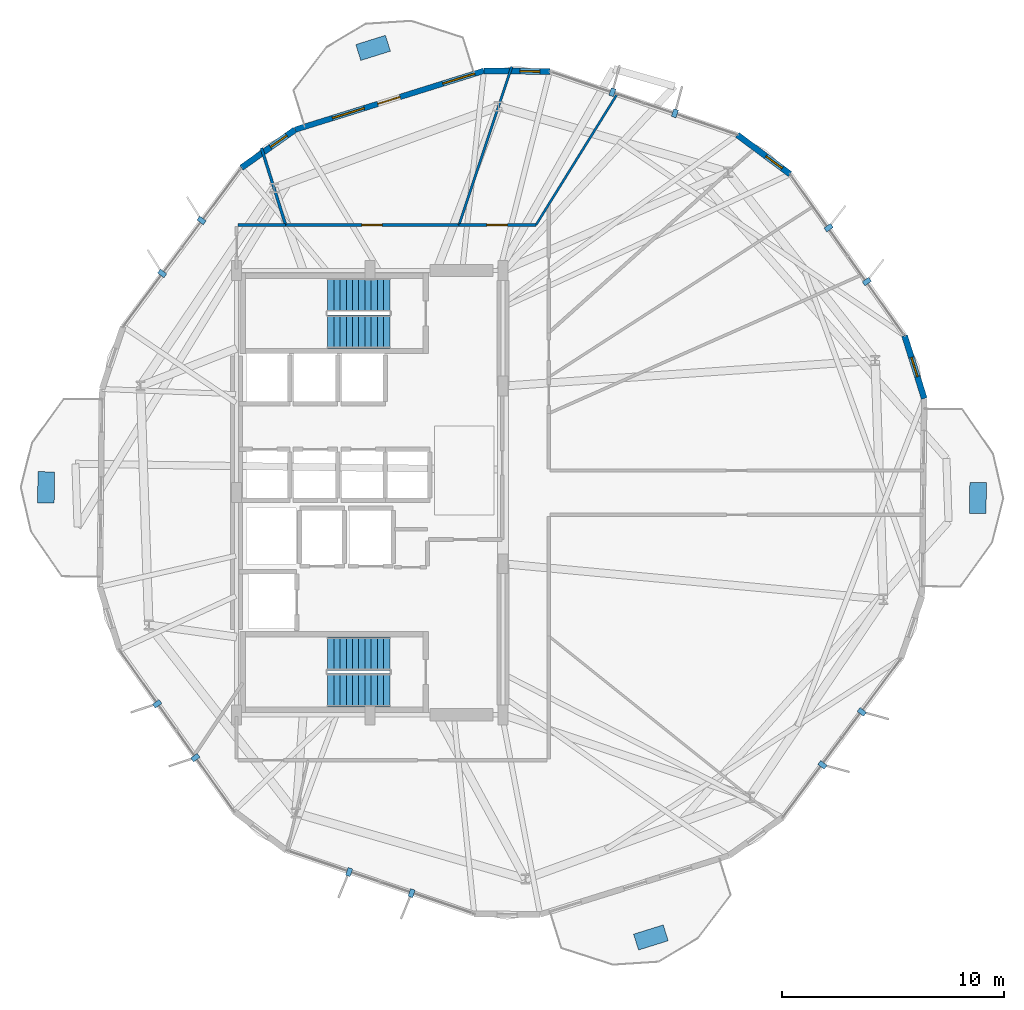
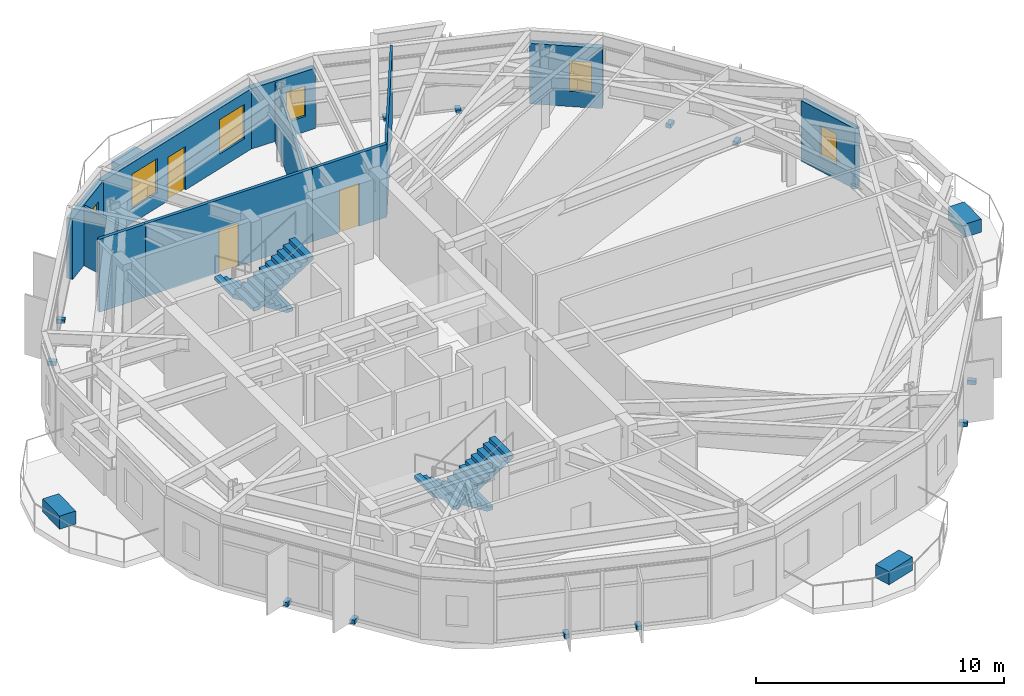
# One storey, part 24 of 27: 16 discrete accessories, 11 walls, 6 windows, 4 stair flights, 3 doors, 9 openings, 2 elements without a shape of their own.
"""IFC4 building model written with IfcOpenShell, lengths in metres."""

from ifc_helpers import new_model, si_unit, direction, frame, frame_2d, origin, origin_2d, place, context, subcontext, project, spatial, polyline, rectangle, outline, extrude, material, layer, layer_set, type_object, element, fill, aggregate, save


model = new_model("IFC4")

# Units and contexts
model_context = context("Model", 3, precision=1e-05, world=origin(), true_north=direction((0.0, 1.0)))
body_context = subcontext(model_context, "Body", "Model", "MODEL_VIEW")
ifc_project = project(units=[si_unit("LENGTHUNIT", "METRE"), si_unit("AREAUNIT", "SQUARE_METRE"), si_unit("VOLUMEUNIT", "CUBIC_METRE"), si_unit("PLANEANGLEUNIT", "RADIAN"), si_unit("MASSUNIT", "GRAM", prefix="KILO")], contexts=[model_context])

# Site, building, storey
site_placement = place(None, origin())
site = spatial("IfcSite", under=ifc_project, at=site_placement, CompositionType="ELEMENT")
building_placement = place(site_placement, origin())
building = spatial("IfcBuilding", under=site, at=building_placement, Name="Soratama Intermodal Tower", CompositionType="ELEMENT")
storey_placement = place(building_placement, frame((0.0, 0.0, 95.199951171875)))
storey = spatial("IfcBuildingStorey", under=building, at=storey_placement, Name="L22", CompositionType="ELEMENT", Elevation=95.199951171875)

# Wall, openings, door, windows
ifc_material_1 = material(Name="Concrete f'c 42 MPa", Category="concrete")
ifc_layer_1 = layer(ifc_material_1, 0.25)
ifc_layer_set_1 = layer_set([ifc_layer_1], Name="Concrete f'c 42 MPa")
wall_type_1 = type_object("IfcWallType", Name="EW-BAL-250", PredefinedType="SOLIDWALL", material=ifc_layer_set_1)
wall_1_placement = place(storey_placement, frame((43.7353515625, 43.9951171875, 0.0), z_axis=(0.0, 0.0, 1.0), x_axis=(-0.954555531523, -0.298033114332, 0.0)))
wall_1 = element("IfcWall", 1, at=wall_1_placement, inside=storey, type_object=wall_type_1, Name="L22 Terrace Wall F03", PredefinedType="SOLIDWALL", context=body_context, shape_type="SweptSolid", body=[
    extrude(rectangle(XDim=8.908447265625, YDim=0.25, at=frame_2d((4.4541015625, 0.0))), origin(), (0.0, 0.0, 1.0), 2.97900390625),
])
opening_1_placement = place(wall_1_placement, frame((3.9541015625, 0.0, 0.0)))
opening_1 = element("IfcOpeningElement", 2, at=opening_1_placement, cuts=wall_1, Name="Opening ED-5", PredefinedType="OPENING", context=body_context, shape_type="SweptSolid", body=[
    extrude(rectangle(XDim=1.050048828125, YDim=2.14990234375, at=frame_2d((0.52490234375, 1.074951171875))), frame((0.0, 0.135009765625, 0.0), z_axis=(0.0, -1.0, 0.0), x_axis=(1.0, 0.0, 0.0)), (0.0, 0.0, 1.0), 0.27001953125),
])
opening_2_placement = place(wall_1_placement, frame((0.43994140625, 0.0, 0.719970703125)))
opening_2 = element("IfcOpeningElement", 3, at=opening_2_placement, cuts=wall_1, Name="Opening WN-1", PredefinedType="OPENING", context=body_context, shape_type="SweptSolid", body=[
    extrude(rectangle(XDim=1.5, YDim=1.699951171875, at=frame_2d((0.75, 0.85009765625))), frame((0.0, 0.135009765625, 0.0), z_axis=(0.0, -1.0, 0.0), x_axis=(1.0, 0.0, 0.0)), (0.0, 0.0, 1.0), 0.27001953125),
])
opening_3_placement = place(wall_1_placement, frame((5.644287109375, 0.0, 0.719970703125)))
opening_3 = element("IfcOpeningElement", 4, at=opening_3_placement, cuts=wall_1, Name="Opening WN-1", PredefinedType="OPENING", context=body_context, shape_type="SweptSolid", body=[
    extrude(rectangle(XDim=1.5, YDim=1.699951171875, at=frame_2d((0.75, 0.85009765625))), frame((0.0, 0.135009765625, 0.0), z_axis=(0.0, -1.0, 0.0), x_axis=(1.0, 0.0, 0.0)), (0.0, 0.0, 1.0), 0.27001953125),
])
ifc_material_2 = material(Name="Double-glazed aluminium door", Category="aluminium")
door_type_1 = type_object("IfcDoorType", Name="DR-BAL-1050", OperationType="NOTDEFINED", PredefinedType="DOOR", material=ifc_material_2)
door_1_placement = place(opening_1_placement, origin())
door_1 = element("IfcDoor", 5, at=door_1_placement, inside=storey, type_object=door_type_1, Name="L22 Balcony Door F03", OperationType="SINGLE_SWING_LEFT", OverallHeight=2.14990234375, OverallWidth=1.050048828125, PredefinedType="DOOR", context=body_context, shape_type="SweptSolid", body=[
    extrude(rectangle(XDim=1.050048828125, YDim=2.14990234375, at=frame_2d((0.52490234375, 1.074951171875))), frame((0.0, 0.02490234375, 0.0), z_axis=(0.0, -1.0, 0.0), x_axis=(1.0, 0.0, 0.0)), (0.0, 0.0, 1.0), 0.050048828125),
])
fill(opening_1, door_1)
ifc_material_3 = material(Name="Double-glazed aluminium window", Category="aluminium")
window_type_1 = type_object("IfcWindowType", Name="WN-FAC-1500", PartitioningType="SINGLE_PANEL", PredefinedType="WINDOW", material=ifc_material_3)
window_1_placement = place(opening_2_placement, origin())
window_1 = element("IfcWindow", 6, at=window_1_placement, inside=storey, type_object=window_type_1, Name="L22 Window A F03", OverallHeight=1.699951171875, OverallWidth=1.5, PartitioningType="SINGLE_PANEL", PredefinedType="WINDOW", context=body_context, shape_type="SweptSolid", body=[
    extrude(rectangle(XDim=1.5, YDim=1.699951171875, at=frame_2d((0.75, 0.85009765625))), frame((0.0, 0.030029296875, 0.0), z_axis=(0.0, -1.0, 0.0), x_axis=(1.0, 0.0, 0.0)), (0.0, 0.0, 1.0), 0.06005859375),
])
fill(opening_2, window_1)
window_2_placement = place(opening_3_placement, origin())
window_2 = element("IfcWindow", 7, at=window_2_placement, inside=storey, type_object=window_type_1, Name="L22 Window B F03", OverallHeight=1.699951171875, OverallWidth=1.5, PartitioningType="SINGLE_PANEL", PredefinedType="WINDOW", context=body_context, shape_type="SweptSolid", body=[
    extrude(rectangle(XDim=1.5, YDim=1.699951171875, at=frame_2d((0.75, 0.85009765625))), frame((0.0, 0.030029296875, 0.0), z_axis=(0.0, -1.0, 0.0), x_axis=(1.0, 0.0, 0.0)), (0.0, 0.0, 1.0), 0.06005859375),
])
fill(opening_3, window_2)

# Wall, opening, window
ifc_material_4 = material(Name="Concrete f'c 42 MPa", Category="concrete")
ifc_layer_2 = layer(ifc_material_4, 0.27001953125)
ifc_layer_set_2 = layer_set([ifc_layer_2], Name="Concrete f'c 42 MPa")
wall_type_2 = type_object("IfcWallType", Name="EW-CRN-270", PredefinedType="SOLIDWALL", material=ifc_layer_set_2)
wall_2_placement = place(storey_placement, frame((57.521728515625, 39.339599609375, 0.0), z_axis=(0.0, 0.0, 1.0), x_axis=(-0.802216720069, 0.597032942175, 0.0)))
wall_2 = element("IfcWall", 8, at=wall_2_placement, inside=storey, type_object=wall_type_2, Name="L22 Corner Closure Wall 01", PredefinedType="SOLIDWALL", context=body_context, shape_type="SweptSolid", body=[
    extrude(rectangle(XDim=2.96630859375, YDim=0.27001953125, at=frame_2d((1.483154296875, 0.0))), origin(), (0.0, 0.0, 1.0), 2.97900390625),
])
opening_4_placement = place(wall_2_placement, frame((0.449951171875, 0.0, 0.75)))
opening_4 = element("IfcOpeningElement", 9, at=opening_4_placement, cuts=wall_2, Name="Opening WN-6", PredefinedType="OPENING", context=body_context, shape_type="SweptSolid", body=[
    extrude(rectangle(XDim=0.89990234375, YDim=1.5, at=frame_2d((0.449951171875, 0.75))), frame((0.0, 0.14501953125, 0.0), z_axis=(0.0, -1.0, 0.0), x_axis=(1.0, 0.0, 0.0)), (0.0, 0.0, 1.0), 0.2900390625),
])
ifc_material_5 = material(Name="Double-glazed aluminium window", Category="aluminium")
window_type_2 = type_object("IfcWindowType", Name="WN-FAC-900", PartitioningType="SINGLE_PANEL", PredefinedType="WINDOW", material=ifc_material_5)
window_3_placement = place(opening_4_placement, origin())
window_3 = element("IfcWindow", 10, at=window_3_placement, inside=storey, type_object=window_type_2, Name="L22 Corner Window 01", OverallHeight=1.5, OverallWidth=0.89990234375, PartitioningType="SINGLE_PANEL", PredefinedType="WINDOW", context=body_context, shape_type="SweptSolid", body=[
    extrude(rectangle(XDim=0.89990234375, YDim=1.5, at=frame_2d((0.449951171875, 0.75))), frame((0.0, 0.030029296875, 0.0), z_axis=(0.0, -1.0, 0.0), x_axis=(1.0, 0.0, 0.0)), (0.0, 0.0, 1.0), 0.06005859375),
])
fill(opening_4, window_3)

wall_3_placement = place(storey_placement, frame((46.701904296875, 43.9609375, 0.0), z_axis=(0.0, 0.0, 1.0), x_axis=(-0.99993363199, 0.011520920787, 0.0)))
wall_3 = element("IfcWall", 11, at=wall_3_placement, inside=storey, type_object=wall_type_2, Name="L22 Corner Closure Wall 02", PredefinedType="SOLIDWALL", context=body_context, shape_type="SweptSolid", body=[
    extrude(rectangle(XDim=2.966796875, YDim=0.27001953125, at=frame_2d((1.4833984375, 0.0))), origin(), (0.0, 0.0, 1.0), 2.97900390625),
])
opening_5_placement = place(wall_3_placement, frame((0.449951171875, 0.0, 0.75)))
opening_5 = element("IfcOpeningElement", 12, at=opening_5_placement, cuts=wall_3, Name="Opening WN-6", PredefinedType="OPENING", context=body_context, shape_type="SweptSolid", body=[
    extrude(rectangle(XDim=0.89990234375, YDim=1.5, at=frame_2d((0.449951171875, 0.75))), frame((0.0, 0.14501953125, 0.0), z_axis=(0.0, -1.0, 0.0), x_axis=(1.0, 0.0, 0.0)), (0.0, 0.0, 1.0), 0.2900390625),
])
window_4_placement = place(opening_5_placement, origin())
window_4 = element("IfcWindow", 13, at=window_4_placement, inside=storey, type_object=window_type_2, Name="L22 Corner Window 02", OverallHeight=1.5, OverallWidth=0.89990234375, PartitioningType="SINGLE_PANEL", PredefinedType="WINDOW", context=body_context, shape_type="SweptSolid", body=[
    extrude(rectangle(XDim=0.89990234375, YDim=1.5, at=frame_2d((0.449951171875, 0.75))), frame((0.0, 0.030029296875, 0.0), z_axis=(0.0, -1.0, 0.0), x_axis=(1.0, 0.0, 0.0)), (0.0, 0.0, 1.0), 0.06005859375),
])
fill(opening_5, window_4)

wall_4_placement = place(storey_placement, frame((35.231689453125, 41.340087890625, 0.0), z_axis=(0.0, 0.0, 1.0), x_axis=(-0.815686288548, -0.57849449321, 0.0)))
wall_4 = element("IfcWall", 14, at=wall_4_placement, inside=storey, type_object=wall_type_2, Name="L22 Corner Closure Wall 03", PredefinedType="SOLIDWALL", context=body_context, shape_type="SweptSolid", body=[
    extrude(rectangle(XDim=2.966552734375, YDim=0.27001953125, at=frame_2d((1.4833984375, 0.0))), origin(), (0.0, 0.0, 1.0), 2.97900390625),
])
opening_6_placement = place(wall_4_placement, frame((0.449951171875, 0.0, 0.75)))
opening_6 = element("IfcOpeningElement", 15, at=opening_6_placement, cuts=wall_4, Name="Opening WN-6", PredefinedType="OPENING", context=body_context, shape_type="SweptSolid", body=[
    extrude(rectangle(XDim=0.89990234375, YDim=1.5, at=frame_2d((0.449951171875, 0.75))), frame((0.0, 0.14501953125, 0.0), z_axis=(0.0, -1.0, 0.0), x_axis=(1.0, 0.0, 0.0)), (0.0, 0.0, 1.0), 0.2900390625),
])
window_5_placement = place(opening_6_placement, origin())
window_5 = element("IfcWindow", 16, at=window_5_placement, inside=storey, type_object=window_type_2, Name="L22 Corner Window 03", OverallHeight=1.5, OverallWidth=0.89990234375, PartitioningType="SINGLE_PANEL", PredefinedType="WINDOW", context=body_context, shape_type="SweptSolid", body=[
    extrude(rectangle(XDim=0.89990234375, YDim=1.5, at=frame_2d((0.449951171875, 0.75))), frame((0.0, 0.030029296875, 0.0), z_axis=(0.0, -1.0, 0.0), x_axis=(1.0, 0.0, 0.0)), (0.0, 0.0, 1.0), 0.06005859375),
])
fill(opening_6, window_5)

wall_5_placement = place(storey_placement, frame((63.558837890625, 29.24072265625, 0.0), z_axis=(0.0, 0.0, 1.0), x_axis=(-0.297998508568, 0.954566335511, 0.0)))
wall_5 = element("IfcWall", 17, at=wall_5_placement, inside=storey, type_object=wall_type_2, Name="L22 Corner Closure Wall 10", PredefinedType="SOLIDWALL", context=body_context, shape_type="SweptSolid", body=[
    extrude(rectangle(XDim=2.966552734375, YDim=0.27001953125, at=frame_2d((1.4833984375, 0.0))), origin(), (0.0, 0.0, 1.0), 2.97900390625),
])
opening_7_placement = place(wall_5_placement, frame((1.033203125, 0.0, 0.75)))
opening_7 = element("IfcOpeningElement", 18, at=opening_7_placement, cuts=wall_5, Name="Opening WN-6", PredefinedType="OPENING", context=body_context, shape_type="SweptSolid", body=[
    extrude(rectangle(XDim=0.89990234375, YDim=1.5, at=frame_2d((0.449951171875, 0.75))), frame((0.0, 0.14501953125, 0.0), z_axis=(0.0, -1.0, 0.0), x_axis=(1.0, 0.0, 0.0)), (0.0, 0.0, 1.0), 0.2900390625),
])
window_6_placement = place(opening_7_placement, origin())
window_6 = element("IfcWindow", 19, at=window_6_placement, inside=storey, type_object=window_type_2, Name="L22 Corner Window 10", OverallHeight=1.5, OverallWidth=0.89990234375, PartitioningType="SINGLE_PANEL", PredefinedType="WINDOW", context=body_context, shape_type="SweptSolid", body=[
    extrude(rectangle(XDim=0.89990234375, YDim=1.5, at=frame_2d((0.449951171875, 0.75))), frame((0.0, 0.030029296875, 0.0), z_axis=(0.0, -1.0, 0.0), x_axis=(1.0, 0.0, 0.0)), (0.0, 0.0, 1.0), 0.06005859375),
])
fill(opening_7, window_6)

# Wall, opening, door
ifc_material_6 = material(Name="Fire-rated gypsum stud partition", Category="concrete")
ifc_layer_3 = layer(ifc_material_6, 0.14990234375)
ifc_layer_set_3 = layer_set([ifc_layer_3], Name="Fire-rated gypsum stud partition")
wall_type_3 = type_object("IfcWallType", Name="IW-PART-R150", PredefinedType="PARTITIONING", material=ifc_layer_set_3)
wall_6_placement = place(storey_placement, frame((34.81005859375, 37.050048828125, 0.0), z_axis=(0.0, 0.0, 1.0), x_axis=(1.0, 0.0, 0.0)))
wall_6 = element("IfcWall", 20, at=wall_6_placement, inside=storey, type_object=wall_type_3, Name="L22 Partition W-L22-TP008", PredefinedType="PARTITIONING", context=body_context, shape_type="SweptSolid", body=[
    extrude(rectangle(XDim=7.803955078125, YDim=0.14990234375, at=frame_2d((3.90185546875, 0.0))), origin(), (0.0, 0.0, 1.0), 3.60009765625),
])
opening_8_placement = place(wall_6_placement, frame((3.427001953125, 0.0, 0.0)))
opening_8 = element("IfcOpeningElement", 21, at=opening_8_placement, cuts=wall_6, Name="Opening ID-6", PredefinedType="OPENING", context=body_context, shape_type="SweptSolid", body=[
    extrude(rectangle(XDim=0.919921875, YDim=2.1201171875, at=frame_2d((0.4599609375, 1.06005859375))), frame((0.0, 0.0849609375, 0.0), z_axis=(0.0, -1.0, 0.0), x_axis=(1.0, 0.0, 0.0)), (0.0, 0.0, 1.0), 0.169921875),
])
ifc_material_7 = material(Name="Solid hardwood acoustic door", Category="wood")
door_type_2 = type_object("IfcDoorType", Name="DR-ROOM-920", OperationType="NOTDEFINED", PredefinedType="DOOR", material=ifc_material_7)
door_2_placement = place(opening_8_placement, origin())
door_2 = element("IfcDoor", 22, at=door_2_placement, inside=storey, type_object=door_type_2, Name="L22 Door D-L22-TP004", OperationType="SINGLE_SWING_LEFT", OverallHeight=2.1201171875, OverallWidth=0.919921875, PredefinedType="DOOR", context=body_context, shape_type="SweptSolid", body=[
    extrude(rectangle(XDim=0.919921875, YDim=2.1201171875, at=frame_2d((0.4599609375, 1.06005859375))), frame((0.0, 0.02490234375, 0.0), z_axis=(0.0, -1.0, 0.0), x_axis=(1.0, 0.0, 0.0)), (0.0, 0.0, 1.0), 0.050048828125),
])
fill(opening_8, door_2)

wall_7_placement = place(storey_placement, frame((42.614013671875, 37.050048828125, 0.0), z_axis=(0.0, 0.0, 1.0), x_axis=(1.0, 0.0, 0.0)))
wall_7 = element("IfcWall", 23, at=wall_7_placement, inside=storey, type_object=wall_type_3, Name="L22 Partition W-L22-TP018", PredefinedType="PARTITIONING", context=body_context, shape_type="SweptSolid", body=[
    extrude(rectangle(XDim=3.462890625, YDim=0.14990234375, at=frame_2d((1.7314453125, 0.0))), origin(), (0.0, 0.0, 1.0), 3.60009765625),
])
opening_9_placement = place(wall_7_placement, frame((1.257080078125, 0.0, 0.0)))
opening_9 = element("IfcOpeningElement", 24, at=opening_9_placement, cuts=wall_7, Name="Opening ID-6", PredefinedType="OPENING", context=body_context, shape_type="SweptSolid", body=[
    extrude(rectangle(XDim=0.919921875, YDim=2.1201171875, at=frame_2d((0.4599609375, 1.06005859375))), frame((0.0, 0.0849609375, 0.0), z_axis=(0.0, -1.0, 0.0), x_axis=(1.0, 0.0, 0.0)), (0.0, 0.0, 1.0), 0.169921875),
])
door_3_placement = place(opening_9_placement, origin())
door_3 = element("IfcDoor", 25, at=door_3_placement, inside=storey, type_object=door_type_2, Name="L22 Door D-L22-TP007", OperationType="SINGLE_SWING_RIGHT", OverallHeight=2.1201171875, OverallWidth=0.919921875, PredefinedType="DOOR", context=body_context, shape_type="SweptSolid", body=[
    extrude(rectangle(XDim=0.919921875, YDim=2.1201171875, at=frame_2d((0.4599609375, 1.06005859375))), frame((0.0, 0.02490234375, 0.0), z_axis=(0.0, -1.0, 0.0), x_axis=(1.0, 0.0, 0.0)), (0.0, 0.0, 1.0), 0.050048828125),
])
fill(opening_9, door_3)

# Walls
wall_8_placement = place(storey_placement, frame((32.669921875, 37.050048828125, 0.0), z_axis=(0.0, 0.0, 1.0), x_axis=(1.0, 0.0, 0.0)))
element("IfcWall", 26, at=wall_8_placement, inside=storey, type_object=wall_type_3, Name="L22 Partition W-L22-TP022", PredefinedType="PARTITIONING", context=body_context, shape_type="SweptSolid", body=[
    extrude(rectangle(XDim=2.14013671875, YDim=0.14990234375, at=frame_2d((1.070068359375, 0.0))), origin(), (0.0, 0.0, 1.0), 3.60009765625),
])
ifc_material_8 = material(Name="Fire-rated gypsum stud partition", Category="concrete")
ifc_layer_4 = layer(ifc_material_8, 0.10009765625)
ifc_layer_set_4 = layer_set([ifc_layer_4], Name="Fire-rated gypsum stud partition")
wall_type_4 = type_object("IfcWallType", Name="IW-PART-S100", PredefinedType="PARTITIONING", material=ifc_layer_set_4)
wall_9_placement = place(storey_placement, frame((46.076904296875, 37.050048828125, 0.0), z_axis=(0.0, 0.0, 1.0), x_axis=(0.527307609439, 0.849674458265, 0.0)))
element("IfcWall", 27, at=wall_9_placement, inside=storey, type_object=wall_type_4, Name="L22 Partition W-L22-TP010", PredefinedType="PARTITIONING", context=body_context, shape_type="SweptSolid", body=[
    extrude(rectangle(XDim=6.9296875, YDim=0.10009765625, at=frame_2d((3.46484375, 0.0))), origin(), (0.0, 0.0, 1.0), 3.60009765625),
])
ifc_material_9 = material(Name="Fire-rated gypsum stud partition", Category="concrete")
ifc_layer_5 = layer(ifc_material_9, 0.110107421875)
ifc_layer_set_5 = layer_set([ifc_layer_5], Name="Fire-rated gypsum stud partition")
wall_type_5 = type_object("IfcWallType", Name="IW-PART-S110", PredefinedType="PARTITIONING", material=ifc_layer_set_5)
wall_10_placement = place(storey_placement, frame((42.614013671875, 37.050048828125, 0.0), z_axis=(0.0, 0.0, 1.0), x_axis=(0.316071805261, 0.948735270726, 0.0)))
element("IfcWall", 28, at=wall_10_placement, inside=storey, type_object=wall_type_5, Name="L22 Partition W-L22-TP009", PredefinedType="PARTITIONING", context=body_context, shape_type="SweptSolid", body=[
    extrude(rectangle(XDim=7.51416015625, YDim=0.110107421875, at=frame_2d((3.757080078125, 0.0))), origin(), (0.0, 0.0, 1.0), 2.89501953125),
])
ifc_material_10 = material(Name="Fire-rated gypsum stud partition", Category="concrete")
ifc_layer_6 = layer(ifc_material_10, 0.1298828125)
ifc_layer_set_6 = layer_set([ifc_layer_6], Name="Fire-rated gypsum stud partition")
wall_type_6 = type_object("IfcWallType", Name="IW-PART-S130", PredefinedType="PARTITIONING", material=ifc_layer_set_6)
wall_11_placement = place(storey_placement, frame((34.81005859375, 37.050048828125, 0.0), z_axis=(0.0, 0.0, 1.0), x_axis=(-0.300097719363, 0.953908464599, 0.0)))
element("IfcWall", 29, at=wall_11_placement, inside=storey, type_object=wall_type_6, Name="L22 Partition W-L22-TP017", PredefinedType="PARTITIONING", context=body_context, shape_type="SweptSolid", body=[
    extrude(rectangle(XDim=3.629150390625, YDim=0.1298828125, at=frame_2d((1.814453125, 0.0))), origin(), (0.0, 0.0, 1.0), 2.89501953125),
])

# Stair, stair flights
ifc_material_11 = material(Name="Concrete f'c 42 MPa", Category="concrete")
stair_type = type_object("IfcStairType", Name="ST-CORE-DOGLEG", PredefinedType="HALF_TURN_STAIR", material=ifc_material_11)
stair_1_placement = place(storey_placement, origin())
stair_1 = element("IfcStair", 30, at=stair_1_placement, inside=storey, type_object=stair_type, Name="L22 ST-1", PredefinedType="HALF_TURN_STAIR")
ifc_material_12 = material(Name="Precast concrete f'c 40 MPa", Category="concrete")
ifc_layer_7 = layer(ifc_material_12, 0.199951171875)
ifc_layer_set_7 = layer_set([ifc_layer_7], Name="Precast concrete f'c 40 MPa")
stair_flight_type = type_object("IfcStairFlightType", Name="SF-FLIGHT-RC", PredefinedType="STRAIGHT", material=ifc_layer_set_7)
stair_flight_1_placement = place(storey_placement, frame((39.5, 17.75, 0.0), z_axis=(0.0, 0.0, 1.0), x_axis=(-1.0, 0.0, 0.0)))
stair_flight_1 = element("IfcStairFlight", 31, at=stair_flight_1_placement, type_object=stair_flight_type, Name="ST-1 flight 1", NumberOfRisers=11, NumberOfTreads=10, PredefinedType="STRAIGHT", RiserHeight=0.177272727, TreadLength=0.28, context=body_context, shape_type="SweptSolid", body=[
    extrude(outline(polyline([(0.0, 0.0), (0.0, 0.17724609375), (0.280029296875, 0.17724609375), (0.280029296875, 0.3544921875), (0.56005859375, 0.3544921875), (0.56005859375, 0.53173828125), (0.840087890625, 0.53173828125), (0.840087890625, 0.708984375), (1.1201171875, 0.708984375), (1.1201171875, 0.886474609375), (1.39990234375, 0.886474609375), (1.39990234375, 1.063720703125), (1.679931640625, 1.063720703125), (1.679931640625, 1.240966796875), (1.9599609375, 1.240966796875), (1.9599609375, 1.418212890625), (2.239990234375, 1.418212890625), (2.239990234375, 1.595458984375), (2.52001953125, 1.595458984375), (2.52001953125, 1.772705078125), (2.800048828125, 1.772705078125), (2.800048828125, 1.949951171875), (2.800048828125, 1.59521484375), (0.2802734375, 0.0), (0.0, 0.0)])), frame((0.0, 0.75, 0.0), z_axis=(0.0, -1.0, 0.0), x_axis=(1.0, 0.0, 0.0)), (0.0, 0.0, 1.0), 1.5),
])
stair_flight_2_placement = place(storey_placement, frame((36.699951171875, 16.10009765625, 1.949951171875), z_axis=(0.0, 0.0, 1.0), x_axis=(1.0, 0.0, 0.0)))
stair_flight_2 = element("IfcStairFlight", 32, at=stair_flight_2_placement, type_object=stair_flight_type, Name="ST-1 flight 2", NumberOfRisers=11, NumberOfTreads=10, PredefinedType="STRAIGHT", RiserHeight=0.177272727, TreadLength=0.28, context=body_context, shape_type="SweptSolid", body=[
    extrude(outline(polyline([(0.0, 0.0), (0.0, 0.17724609375), (0.280029296875, 0.17724609375), (0.280029296875, 0.3544921875), (0.56005859375, 0.3544921875), (0.56005859375, 0.53173828125), (0.840087890625, 0.53173828125), (0.840087890625, 0.708984375), (1.1201171875, 0.708984375), (1.1201171875, 0.886474609375), (1.39990234375, 0.886474609375), (1.39990234375, 1.063720703125), (1.679931640625, 1.063720703125), (1.679931640625, 1.240966796875), (1.9599609375, 1.240966796875), (1.9599609375, 1.418212890625), (2.239990234375, 1.418212890625), (2.239990234375, 1.595458984375), (2.52001953125, 1.595458984375), (2.52001953125, 1.772705078125), (2.800048828125, 1.772705078125), (2.800048828125, 1.949951171875), (2.800048828125, 1.59521484375), (0.2802734375, 0.0), (0.0, 0.0)])), frame((0.0, 0.75, 0.0), z_axis=(0.0, -1.0, 0.0), x_axis=(1.0, 0.0, 0.0)), (0.0, 0.0, 1.0), 1.5),
])
aggregate(stair_1, [stair_flight_1, stair_flight_2])

stair_2_placement = place(storey_placement, origin())
stair_2 = element("IfcStair", 33, at=stair_2_placement, inside=storey, type_object=stair_type, Name="L22 ST-2", PredefinedType="HALF_TURN_STAIR")
stair_flight_3_placement = place(storey_placement, frame((39.5, 33.89990234375, 0.0), z_axis=(0.0, 0.0, 1.0), x_axis=(-1.0, 0.0, 0.0)))
stair_flight_3 = element("IfcStairFlight", 34, at=stair_flight_3_placement, type_object=stair_flight_type, Name="ST-2 flight 1", NumberOfRisers=11, NumberOfTreads=10, PredefinedType="STRAIGHT", RiserHeight=0.177272727, TreadLength=0.28, context=body_context, shape_type="SweptSolid", body=[
    extrude(outline(polyline([(0.0, 0.0), (0.0, 0.17724609375), (0.280029296875, 0.17724609375), (0.280029296875, 0.3544921875), (0.56005859375, 0.3544921875), (0.56005859375, 0.53173828125), (0.840087890625, 0.53173828125), (0.840087890625, 0.708984375), (1.1201171875, 0.708984375), (1.1201171875, 0.886474609375), (1.39990234375, 0.886474609375), (1.39990234375, 1.063720703125), (1.679931640625, 1.063720703125), (1.679931640625, 1.240966796875), (1.9599609375, 1.240966796875), (1.9599609375, 1.418212890625), (2.239990234375, 1.418212890625), (2.239990234375, 1.595458984375), (2.52001953125, 1.595458984375), (2.52001953125, 1.772705078125), (2.800048828125, 1.772705078125), (2.800048828125, 1.949951171875), (2.800048828125, 1.59521484375), (0.2802734375, 0.0), (0.0, 0.0)])), frame((0.0, 0.75, 0.0), z_axis=(0.0, -1.0, 0.0), x_axis=(1.0, 0.0, 0.0)), (0.0, 0.0, 1.0), 1.5),
])
stair_flight_4_placement = place(storey_placement, frame((36.699951171875, 32.25, 1.949951171875), z_axis=(0.0, 0.0, 1.0), x_axis=(1.0, 0.0, 0.0)))
stair_flight_4 = element("IfcStairFlight", 35, at=stair_flight_4_placement, type_object=stair_flight_type, Name="ST-2 flight 2", NumberOfRisers=11, NumberOfTreads=10, PredefinedType="STRAIGHT", RiserHeight=0.177272727, TreadLength=0.28, context=body_context, shape_type="SweptSolid", body=[
    extrude(outline(polyline([(0.0, 0.0), (0.0, 0.17724609375), (0.280029296875, 0.17724609375), (0.280029296875, 0.3544921875), (0.56005859375, 0.3544921875), (0.56005859375, 0.53173828125), (0.840087890625, 0.53173828125), (0.840087890625, 0.708984375), (1.1201171875, 0.708984375), (1.1201171875, 0.886474609375), (1.39990234375, 0.886474609375), (1.39990234375, 1.063720703125), (1.679931640625, 1.063720703125), (1.679931640625, 1.240966796875), (1.9599609375, 1.240966796875), (1.9599609375, 1.418212890625), (2.239990234375, 1.418212890625), (2.239990234375, 1.595458984375), (2.52001953125, 1.595458984375), (2.52001953125, 1.772705078125), (2.800048828125, 1.772705078125), (2.800048828125, 1.949951171875), (2.800048828125, 1.59521484375), (0.2802734375, 0.0), (0.0, 0.0)])), frame((0.0, 0.75, 0.0), z_axis=(0.0, -1.0, 0.0), x_axis=(1.0, 0.0, 0.0)), (0.0, 0.0, 1.0), 1.5),
])
aggregate(stair_2, [stair_flight_3, stair_flight_4])

# Discrete accessories
ifc_material_13 = material(Name="Structural steel ASTM A992 Grade 50", Category="steel")
discrete_accessory_type_1 = type_object("IfcDiscreteAccessoryType", Name="AC-FIN-BRACKET", PredefinedType="BRACKET", material=ifc_material_13)
for number, where, z_axis, x_axis, name in (
    (36, (60.973388671875, 34.50634765625, -0.080078125), (0.0, 0.0, 1.0), (0.815733970499, 0.578427255041, 0.0), "L22 Fin Bracket F01-1"),
    (37, (59.255615234375, 36.9287109375, -0.080078125), (0.0, 0.0, 1.0), (0.815733970499, 0.578427255041, 0.0), "L22 Fin Bracket F01-2"),
    (38, (52.3349609375, 42.07958984375, -0.080078125), (0.0, 0.0, 1.0), (0.319951634986, 0.947433876991, 0.0), "L22 Fin Bracket F02-1"),
    (39, (49.521484375, 43.02978515625, -0.080078125), (0.0, 0.0, 1.0), (0.319951634986, 0.947433876991, 0.0), "L22 Fin Bracket F02-2"),
    (40, (31.02294921875, 37.25390625, -0.080078125), (0.0, 0.0, 1.0), (-0.802192669882, 0.597065256389, 0.0), "L22 Fin Bracket F04-1"),
    (41, (29.25, 34.871826171875, -0.080078125), (0.0, 0.0, 1.0), (-0.802192669882, 0.597065256389, 0.0), "L22 Fin Bracket F04-2"),
    (42, (29.026611328125, 15.49365234375, -0.080078125), (0.0, 0.0, 1.0), (-0.815733970499, -0.578427255041, 0.0), "L22 Fin Bracket F06-1"),
    (43, (30.744384765625, 13.0712890625, -0.080078125), (0.0, 0.0, 1.0), (-0.815733970499, -0.578427255041, 0.0), "L22 Fin Bracket F06-2"),
    (44, (37.6650390625, 7.92041015625, -0.080078125), (0.0, 0.0, 1.0), (-0.319951634986, -0.947433876991, 0.0), "L22 Fin Bracket F07-1"),
    (45, (40.478515625, 6.97021484375, -0.080078125), (0.0, 0.0, 1.0), (-0.319951634986, -0.947433876991, 0.0), "L22 Fin Bracket F07-2"),
    (46, (58.97705078125, 12.74609375, -0.080078125), (0.0, 0.0, 1.0), (0.802192669882, -0.597065256389, 0.0), "L22 Fin Bracket F09-1"),
    (47, (60.75, 15.128173828125, -0.080078125), (0.0, 0.0, 1.0), (0.802192669882, -0.597065256389, 0.0), "L22 Fin Bracket F09-2"),
):
    element("IfcDiscreteAccessory", number, at=place(storey_placement, frame(where, z_axis=z_axis, x_axis=x_axis)), inside=storey, type_object=discrete_accessory_type_1, Name=name, PredefinedType="BRACKET", context=body_context, shape_type="SweptSolid", body=[
        extrude(rectangle(XDim=0.360107421875, YDim=0.219970703125, at=origin_2d()), origin(), (0.0, 0.0, 1.0), 0.199951171875),
    ])
ifc_material_14 = material(Name="Precast concrete f'c 40 MPa", Category="concrete")
discrete_accessory_type_2 = type_object("IfcDiscreteAccessoryType", Name="AC-PLANTER-TREE", PredefinedType="USERDEFINED", material=ifc_material_14)
for number, where, z_axis, x_axis, name in (
    (48, (65.977294921875, 24.75830078125, 0.0), (0.0, 0.0, 1.0), (0.99993365506, -0.011518918316, 0.0), "L22 Tree Planter 1"),
    (49, (38.747314453125, 45.025390625, 0.0), (0.0, 0.0, 1.0), (-0.298041350336, 0.954552960024, 0.0), "L22 Tree Planter 2"),
    (50, (24.022705078125, 25.24169921875, 0.0), (0.0, 0.0, 1.0), (-0.99993365506, 0.011518918316, 0.0), "L22 Tree Planter 3"),
    (51, (51.252685546875, 4.974609375, 0.0), (0.0, 0.0, 1.0), (0.298041350336, -0.954552960024, 0.0), "L22 Tree Planter 4"),
):
    element("IfcDiscreteAccessory", number, at=place(storey_placement, frame(where, z_axis=z_axis, x_axis=x_axis)), inside=storey, type_object=discrete_accessory_type_2, Name=name, ObjectType="PLANTER", PredefinedType="USERDEFINED", context=body_context, shape_type="SweptSolid", body=[
        extrude(rectangle(XDim=0.75, YDim=1.39990234375, at=origin_2d()), origin(), (0.0, 0.0, 1.0), 0.64990234375),
    ])

save(model, "model.ifc")
